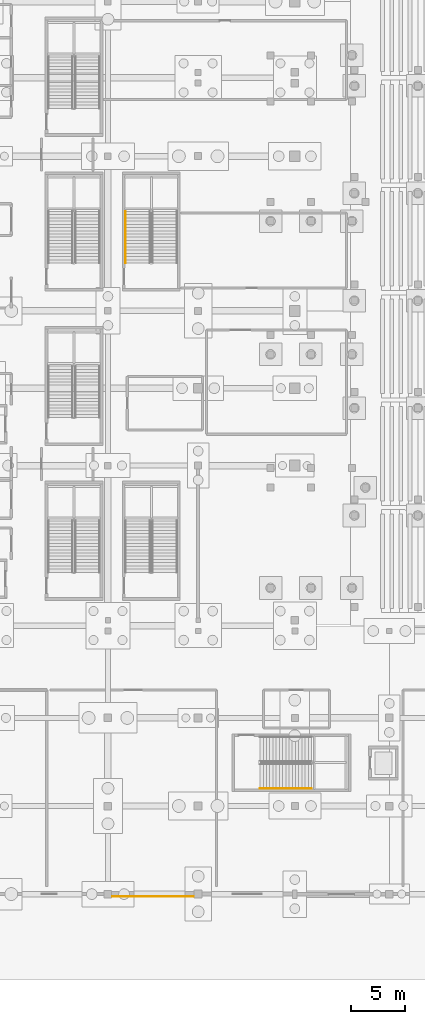
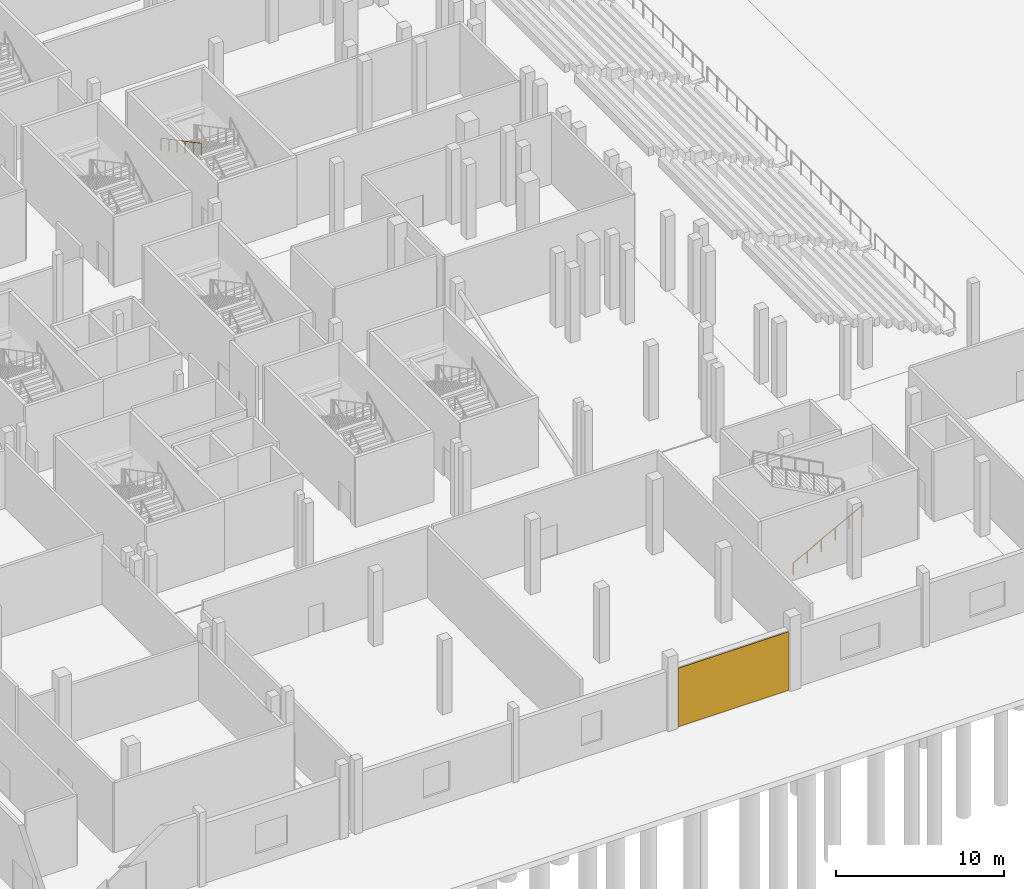
# One storey, part 61 of 89: 2 railings, 1 covering.
"""IFC4 building model written with IfcOpenShell, lengths in metres."""

from ifc_helpers import new_model, si_unit, direction, frame, origin, origin_2d, place, context, subcontext, project, spatial, rectangle, circle, extrude, material, layer, layer_set, type_object, element, save


model = new_model("IFC4")

# Units and contexts
model_context = context("Model", 3, precision=1e-05, world=origin(), true_north=direction((0.0, 1.0)))
body_context = subcontext(model_context, "Body", "Model", "MODEL_VIEW")
ifc_project = project(units=[si_unit("LENGTHUNIT", "METRE"), si_unit("AREAUNIT", "SQUARE_METRE"), si_unit("VOLUMEUNIT", "CUBIC_METRE"), si_unit("PLANEANGLEUNIT", "RADIAN"), si_unit("MASSUNIT", "GRAM", prefix="KILO")], contexts=[model_context])

# Site, building, storey
site_placement = place(None, origin())
site = spatial("IfcSite", under=ifc_project, at=site_placement, CompositionType="ELEMENT")
building_placement = place(site_placement, origin())
building = spatial("IfcBuilding", under=site, at=building_placement, Name="Koshinbarg Plaza Stadium", CompositionType="ELEMENT")
storey_placement = place(building_placement, origin())
storey = spatial("IfcBuildingStorey", under=building, at=storey_placement, Name="L00", CompositionType="ELEMENT", Elevation=0.0)

# Covering
ifc_material_1 = material(Name="Terracotta-ochre pigmented mineral render facade cladding", Category="masonry")
ifc_layer = layer(ifc_material_1, 0.0400390625)
ifc_layer_set = layer_set([ifc_layer], Name="Terracotta-ochre pigmented mineral render facade cladding")
covering_type = type_object("IfcCoveringType", Name="COV-CLADDING-01", PredefinedType="CLADDING", material=ifc_layer_set)
covering_placement = place(storey_placement, frame((50.387451171875, -0.2451171875, 0.0498046875), z_axis=(0.0, 0.0, 1.0), x_axis=(-1.0, 0.0, 0.0)))
element("IfcCovering", 1, at=covering_placement, inside=storey, type_object=covering_type, Name="L00 pigmented mineral facade cladding EWL-L00-0068", PredefinedType="CLADDING", context=body_context, shape_type="SweptSolid", body=[
    extrude(rectangle(XDim=7.5849609375, YDim=0.0400390625, at=origin_2d()), origin(), (0.0, 0.0, 1.0), 4.260009765625),
])

# Railings
ifc_material_2 = material(Name="Brushed stainless steel handrail", Category="steel")
railing_type = type_object("IfcRailingType", Name="RL-HAND-900", PredefinedType="HANDRAIL", material=ifc_material_2)
railing_1_placement = place(storey_placement, frame((60.360107421875, 9.85009765625, 0.158935546875)))
element("IfcRailing", 2, at=railing_1_placement, inside=storey, type_object=railing_type, Name="L00 C13 stair handrail 1", PredefinedType="HANDRAIL", context=body_context, shape_type="SweptSolid", body=[
    extrude(circle(Radius=0.02392578125, at=origin_2d()), frame((0.0, 0.0, 0.8759765625), z_axis=(0.883792290195, 0.0, 0.467879458614), x_axis=(0.0, 1.0, 0.0)), (0.0, 0.0, 1.0), 5.430908203125),
    extrude(circle(Radius=0.02099609375, at=origin_2d()), origin(), (0.0, 0.0, 1.0), 0.851806640625),
    extrude(circle(Radius=0.02099609375, at=origin_2d()), frame((0.9599609375, 0.0, 0.50830078125)), (0.0, 0.0, 1.0), 0.851806640625),
    extrude(circle(Radius=0.02099609375, at=origin_2d()), frame((1.919921875, 0.0, 1.016357421875)), (0.0, 0.0, 1.0), 0.851806640625),
    extrude(circle(Radius=0.02099609375, at=origin_2d()), frame((2.8798828125, 0.0, 1.524658203125)), (0.0, 0.0, 1.0), 0.851806640625),
    extrude(circle(Radius=0.02099609375, at=origin_2d()), frame((3.83984375, 0.0, 2.03271484375)), (0.0, 0.0, 1.0), 0.851806640625),
    extrude(circle(Radius=0.02099609375, at=origin_2d()), frame((4.7998046875, 0.0, 2.541015625)), (0.0, 0.0, 1.0), 0.851806640625),
])
railing_2_placement = place(storey_placement, frame((47.85009765625, 63.56005859375, 2.85888671875)))
element("IfcRailing", 3, at=railing_2_placement, inside=storey, type_object=railing_type, Name="L00 VL02 stair handrail 2", PredefinedType="HANDRAIL", context=body_context, shape_type="SweptSolid", body=[
    extrude(circle(Radius=0.02392578125, at=origin_2d()), frame((0.0, 0.0, 0.8759765625), z_axis=(0.0, -0.883802130504, 0.467860870469), x_axis=(1.0, 0.0, 0.0)), (0.0, 0.0, 1.0), 5.43115234375),
    extrude(circle(Radius=0.02099609375, at=origin_2d()), origin(), (0.0, 0.0, 1.0), 0.851806640625),
    extrude(circle(Radius=0.02099609375, at=origin_2d()), frame((0.0, -0.9599609375, 0.50830078125)), (0.0, 0.0, 1.0), 0.851806640625),
    extrude(circle(Radius=0.02099609375, at=origin_2d()), frame((0.0, -1.919921875, 1.016357421875)), (0.0, 0.0, 1.0), 0.851806640625),
    extrude(circle(Radius=0.02099609375, at=origin_2d()), frame((0.0, -2.880126953125, 1.524658203125)), (0.0, 0.0, 1.0), 0.851806640625),
    extrude(circle(Radius=0.02099609375, at=origin_2d()), frame((0.0, -3.840087890625, 2.03271484375)), (0.0, 0.0, 1.0), 0.851806640625),
    extrude(circle(Radius=0.02099609375, at=origin_2d()), frame((0.0, -4.800048828125, 2.541015625)), (0.0, 0.0, 1.0), 0.851806640625),
])

save(model, "model.ifc")
